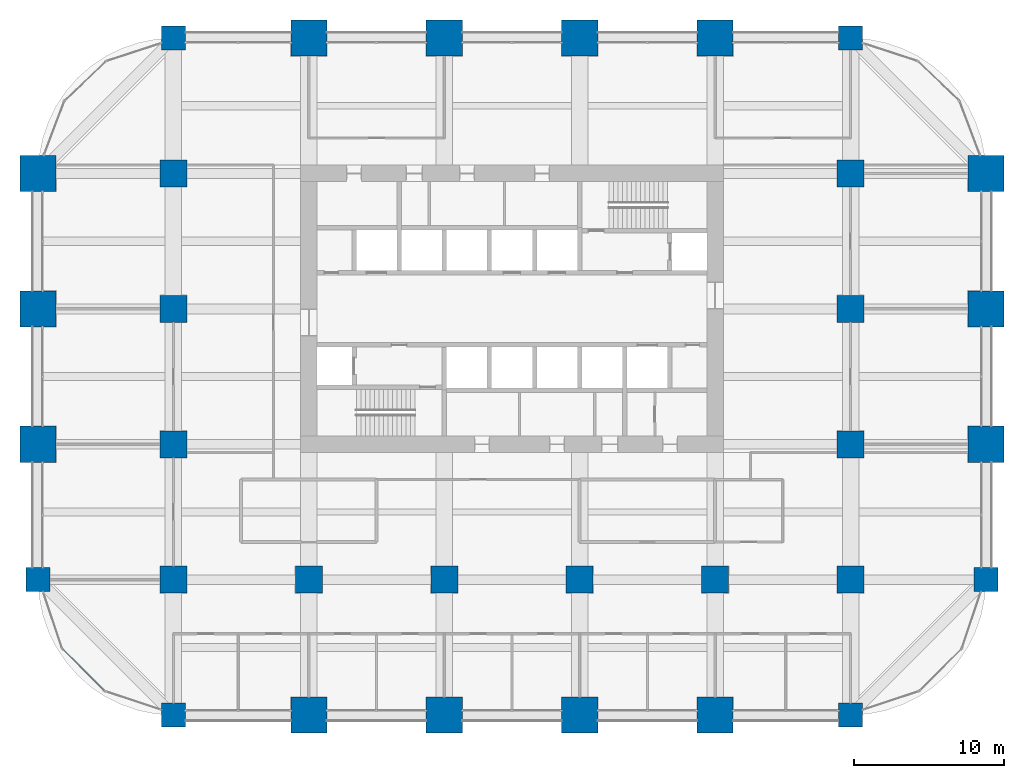
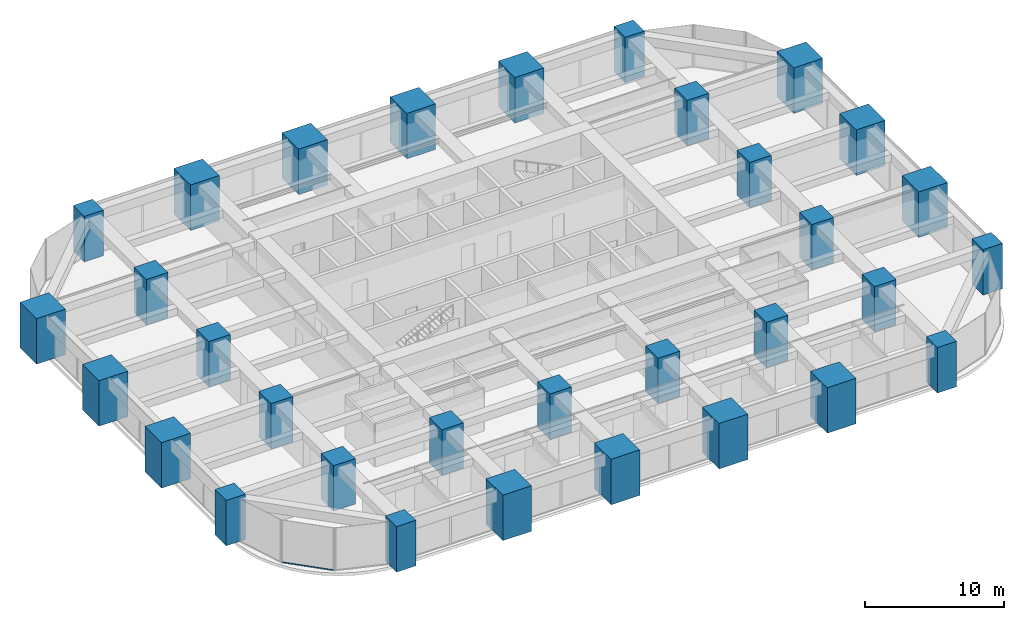
# One storey, part 1 of 40: 32 columns, 1 member, 1 element without a shape of its own.
"""IFC4 building model written with IfcOpenShell, lengths in metres."""

from ifc_helpers import new_model, si_unit, direction, frame, origin, origin_2d, place, context, subcontext, project, spatial, rectangle, hollow_rectangle, extrude, material, material_profile, profile_set, type_object, element, aggregate, save


model = new_model("IFC4")

# Units and contexts
model_context = context("Model", 3, precision=1e-05, world=origin(), true_north=direction((0.0, 1.0)))
body_context = subcontext(model_context, "Body", "Model", "MODEL_VIEW")
ifc_project = project(units=[si_unit("LENGTHUNIT", "METRE"), si_unit("AREAUNIT", "SQUARE_METRE"), si_unit("VOLUMEUNIT", "CUBIC_METRE"), si_unit("PLANEANGLEUNIT", "RADIAN"), si_unit("MASSUNIT", "GRAM", prefix="KILO")], contexts=[model_context])

# Site, building, storey
site_placement = place(None, origin())
site = spatial("IfcSite", under=ifc_project, at=site_placement, CompositionType="ELEMENT")
building_placement = place(site_placement, origin())
building = spatial("IfcBuilding", under=site, at=building_placement, Name="Zorevar Civic Tower", CompositionType="ELEMENT")
storey_placement = place(building_placement, frame((0.0, 0.0, 129.0)))
storey = spatial("IfcBuildingStorey", under=building, at=storey_placement, Name="L31", CompositionType="ELEMENT", Elevation=129.0)

# Columns
ifc_material_1 = material(Name="Concrete C50/60", Category="concrete")
ifc_material_profile_1 = material_profile(ifc_material_1, rectangle(XDim=1.60009765625, YDim=1.60009765625, at=origin_2d()), Name="RC 1600x1600")
ifc_profile_set_1 = profile_set([ifc_material_profile_1], Name="Concrete C50/60")
column_type_1 = type_object("IfcColumnType", Name="Column RC 1600x1600", PredefinedType="COLUMN", material=ifc_profile_set_1)
for number, where, z_axis, x_axis, name in (
    (1, (0.0, 9.0, 0.0), (0.0, 0.0, 1.0), (1.0, 0.0, 0.0), "Column 2B L31"),
    (2, (9.0, 0.0, 0.0), (0.0, 0.0, 1.0), (1.0, 0.0, 0.0), "Column 3A L31"),
    (3, (9.0, 45.0, 0.0), (0.0, 0.0, 1.0), (1.0, 0.0, 0.0), "Column 3F L31"),
    (4, (54.0, 0.0, 0.0), (0.0, 0.0, 1.0), (1.0, 0.0, 0.0), "Column 8A L31"),
    (5, (54.0, 45.0, 0.0), (0.0, 0.0, 1.0), (1.0, 0.0, 0.0), "Column 8F L31"),
    (6, (63.0, 9.0, 0.0), (0.0, 0.0, 1.0), (1.0, 0.0, 0.0), "Column 9B L31"),
):
    element("IfcColumn", number, at=place(storey_placement, frame(where, z_axis=z_axis, x_axis=x_axis)), inside=storey, type_object=column_type_1, Name=name, PredefinedType="COLUMN", context=body_context, shape_type="SweptSolid", body=[
        extrude(rectangle(XDim=1.60009765625, YDim=1.60009765625, at=origin_2d()), origin(), (0.0, 0.0, 1.0), 4.0),
    ])
ifc_material_2 = material(Name="Concrete C50/60", Category="concrete")
ifc_material_profile_2 = material_profile(ifc_material_2, rectangle(XDim=1.800048828125, YDim=1.800048828125, at=origin_2d()), Name="RC 1800x1800")
ifc_profile_set_2 = profile_set([ifc_material_profile_2], Name="Concrete C50/60")
column_type_2 = type_object("IfcColumnType", Name="Column RC 1800x1800", PredefinedType="COLUMN", material=ifc_profile_set_2)
for number, where, z_axis, x_axis, name in (
    (7, (9.0, 9.0, 0.0), (0.0, 0.0, 1.0), (1.0, 0.0, 0.0), "Column 3B L31"),
    (8, (9.0, 18.0, 0.0), (0.0, 0.0, 1.0), (1.0, 0.0, 0.0), "Column 3C L31"),
    (9, (9.0, 27.0, 0.0), (0.0, 0.0, 1.0), (1.0, 0.0, 0.0), "Column 3D L31"),
    (10, (9.0, 36.0, 0.0), (0.0, 0.0, 1.0), (1.0, 0.0, 0.0), "Column 3E L31"),
    (11, (18.0, 9.0, 0.0), (0.0, 0.0, 1.0), (1.0, 0.0, 0.0), "Column 4B L31"),
    (12, (27.0, 9.0, 0.0), (0.0, 0.0, 1.0), (1.0, 0.0, 0.0), "Column 5B L31"),
    (13, (36.0, 9.0, 0.0), (0.0, 0.0, 1.0), (1.0, 0.0, 0.0), "Column 6B L31"),
    (14, (45.0, 9.0, 0.0), (0.0, 0.0, 1.0), (1.0, 0.0, 0.0), "Column 7B L31"),
    (15, (54.0, 9.0, 0.0), (0.0, 0.0, 1.0), (1.0, 0.0, 0.0), "Column 8B L31"),
    (16, (54.0, 18.0, 0.0), (0.0, 0.0, 1.0), (1.0, 0.0, 0.0), "Column 8C L31"),
    (17, (54.0, 27.0, 0.0), (0.0, 0.0, 1.0), (1.0, 0.0, 0.0), "Column 8D L31"),
    (18, (54.0, 36.0, 0.0), (0.0, 0.0, 1.0), (1.0, 0.0, 0.0), "Column 8E L31"),
):
    element("IfcColumn", number, at=place(storey_placement, frame(where, z_axis=z_axis, x_axis=x_axis)), inside=storey, type_object=column_type_2, Name=name, PredefinedType="COLUMN", context=body_context, shape_type="SweptSolid", body=[
        extrude(rectangle(XDim=1.800048828125, YDim=1.800048828125, at=origin_2d()), origin(), (0.0, 0.0, 1.0), 4.0),
    ])
ifc_material_3 = material(Name="Concrete C50/60", Category="concrete")
ifc_material_profile_3 = material_profile(ifc_material_3, rectangle(XDim=2.39990234375, YDim=2.39990234375, at=origin_2d()), Name="RC 2400x2400")
ifc_profile_set_3 = profile_set([ifc_material_profile_3], Name="Concrete C50/60")
column_type_3 = type_object("IfcColumnType", Name="Mega column RC 2400x2400", PredefinedType="COLUMN", material=ifc_profile_set_3)
for number, where, z_axis, x_axis, name in (
    (19, (0.0, 18.0, 0.0), (0.0, 0.0, 1.0), (1.0, 0.0, 0.0), "Column 2C L31"),
    (20, (0.0, 27.0, 0.0), (0.0, 0.0, 1.0), (1.0, 0.0, 0.0), "Column 2D L31"),
    (21, (0.0, 36.0, 0.0), (0.0, 0.0, 1.0), (1.0, 0.0, 0.0), "Column 2E L31"),
    (22, (18.0, 0.0, 0.0), (0.0, 0.0, 1.0), (1.0, 0.0, 0.0), "Column 4A L31"),
    (23, (18.0, 45.0, 0.0), (0.0, 0.0, 1.0), (1.0, 0.0, 0.0), "Column 4F L31"),
    (24, (27.0, 0.0, 0.0), (0.0, 0.0, 1.0), (1.0, 0.0, 0.0), "Column 5A L31"),
    (25, (27.0, 45.0, 0.0), (0.0, 0.0, 1.0), (1.0, 0.0, 0.0), "Column 5F L31"),
    (26, (36.0, 0.0, 0.0), (0.0, 0.0, 1.0), (1.0, 0.0, 0.0), "Column 6A L31"),
    (27, (36.0, 45.0, 0.0), (0.0, 0.0, 1.0), (1.0, 0.0, 0.0), "Column 6F L31"),
    (28, (45.0, 0.0, 0.0), (0.0, 0.0, 1.0), (1.0, 0.0, 0.0), "Column 7A L31"),
    (29, (45.0, 45.0, 0.0), (0.0, 0.0, 1.0), (1.0, 0.0, 0.0), "Column 7F L31"),
    (30, (63.0, 18.0, 0.0), (0.0, 0.0, 1.0), (1.0, 0.0, 0.0), "Column 9C L31"),
    (31, (63.0, 27.0, 0.0), (0.0, 0.0, 1.0), (1.0, 0.0, 0.0), "Column 9D L31"),
    (32, (63.0, 36.0, 0.0), (0.0, 0.0, 1.0), (1.0, 0.0, 0.0), "Column 9E L31"),
):
    element("IfcColumn", number, at=place(storey_placement, frame(where, z_axis=z_axis, x_axis=x_axis)), inside=storey, type_object=column_type_3, Name=name, PredefinedType="COLUMN", context=body_context, shape_type="SweptSolid", body=[
        extrude(rectangle(XDim=2.39990234375, YDim=2.39990234375, at=origin_2d()), origin(), (0.0, 0.0, 1.0), 4.0),
    ])

# Curtain wall, member
ifc_material_4 = material(Name="Dark grey solar-control glass in black aluminium frame", Category="aluminium")
curtain_wall_type = type_object("IfcCurtainWallType", Name="Curtain wall CW3 mid zone", PredefinedType="NOTDEFINED", material=ifc_material_4)
curtain_wall_placement = place(storey_placement, origin())
curtain_wall = element("IfcCurtainWall", 33, at=curtain_wall_placement, inside=storey, type_object=curtain_wall_type, Name="CW3 L31", PredefinedType="NOTDEFINED")
ifc_material_5 = material(Name="Aluminium, black anodised", Category="aluminium")
ifc_material_profile_4 = material_profile(ifc_material_5, hollow_rectangle(XDim=0.06005859375, YDim=0.1201171875, WallThickness=0.0029296875, at=origin_2d()), Name="AL 120x60x3")
ifc_profile_set_4 = profile_set([ifc_material_profile_4], Name="Aluminium, black anodised")
member_type = type_object("IfcMemberType", Name="CW3 transom AL 120x60x3", PredefinedType="USERDEFINED", material=ifc_profile_set_4)
member_placement = place(storey_placement, frame((1.64501953125, 4.37841796875, 0.030029296875), z_axis=(0.707106781187, -0.707106781187, 0.0), x_axis=(0.707106781187, 0.707106781187, 0.0)))
member = element("IfcMember", 34, at=member_placement, type_object=member_type, Name="CW3 sill transom", ObjectType="TRANSOM", PredefinedType="USERDEFINED", context=body_context, shape_type="SweptSolid", body=[
    extrude(hollow_rectangle(XDim=0.06005859375, YDim=0.1201171875, WallThickness=0.0029296875, at=origin_2d()), origin(), (0.0, 0.0, 1.0), 3.86572265625),
])
aggregate(curtain_wall, [member])

save(model, "model.ifc")
